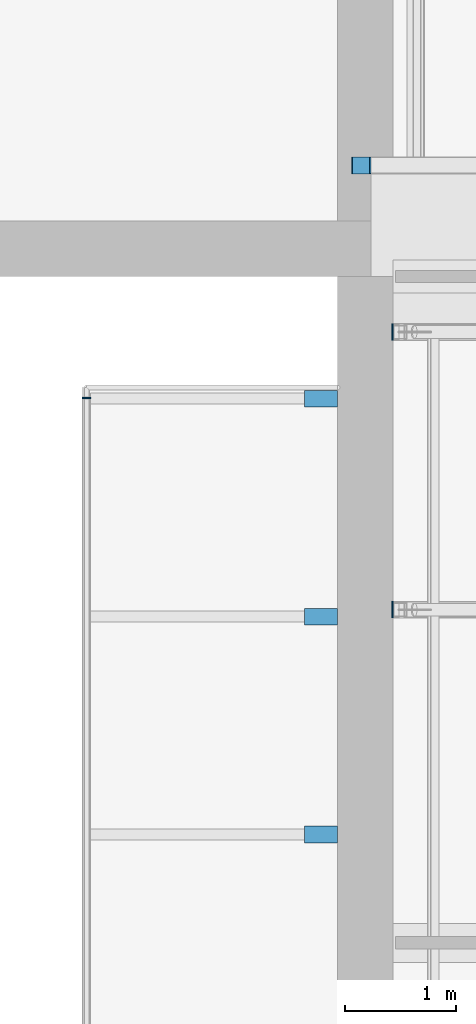
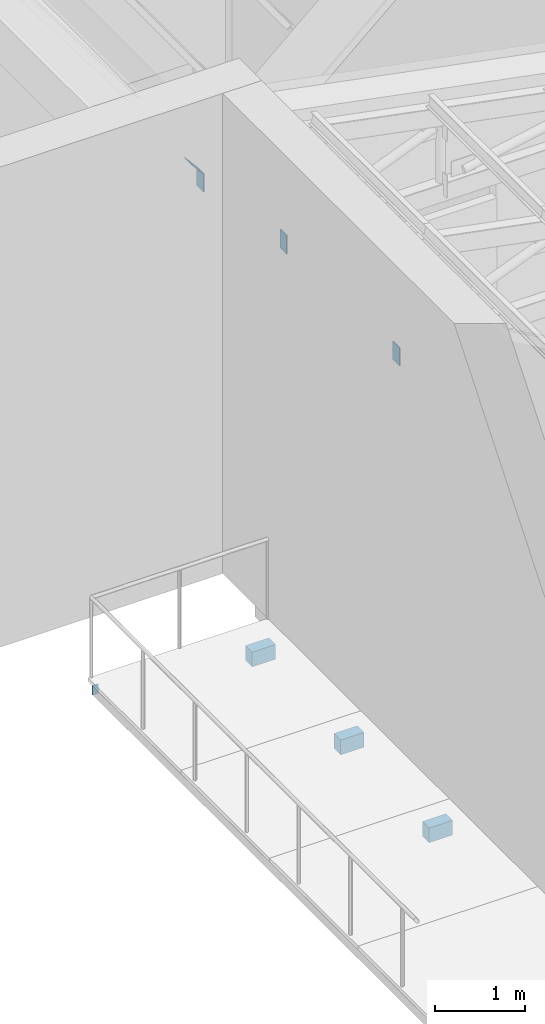
# One storey, part 101 of 118: 8 discrete accessories.
"""IFC4 building model written with IfcOpenShell, lengths in metres."""

from ifc_helpers import new_model, si_unit, direction, frame, origin, origin_2d, place, context, subcontext, project, spatial, rectangle, extrude, material, material_profile, profile_set, type_object, element, save


model = new_model("IFC4")

# Units and contexts
model_context = context("Model", 3, precision=1e-05, world=origin(), true_north=direction((0.0, 1.0)))
body_context = subcontext(model_context, "Body", "Model", "MODEL_VIEW")
ifc_project = project(units=[si_unit("LENGTHUNIT", "METRE"), si_unit("AREAUNIT", "SQUARE_METRE"), si_unit("VOLUMEUNIT", "CUBIC_METRE"), si_unit("PLANEANGLEUNIT", "RADIAN"), si_unit("MASSUNIT", "GRAM", prefix="KILO")], contexts=[model_context])

# Site, building, storey
site_placement = place(None, origin())
site = spatial("IfcSite", under=ifc_project, at=site_placement, CompositionType="ELEMENT")
building_placement = place(site_placement, origin())
building = spatial("IfcBuilding", under=site, at=building_placement, Name="Saffron Lane Theatres", CompositionType="ELEMENT")
storey_placement = place(building_placement, frame((0.0, 0.0, 16.5)))
storey = spatial("IfcBuildingStorey", under=building, at=storey_placement, Name="L03", CompositionType="ELEMENT", Elevation=16.5)

# Discrete accessories
ifc_material_1 = material(Name="Steel Grade 350", Category="steel")
ifc_material_profile_1 = material_profile(ifc_material_1, rectangle(XDim=0.074951171875, YDim=0.125, at=origin_2d()))
ifc_profile_set_1 = profile_set([ifc_material_profile_1], Name="Steel Grade 350")
discrete_accessory_type_1 = type_object("IfcDiscreteAccessoryType", Name="ST-STEEL END CAP 125x75x5 RHS", PredefinedType="ANCHORPLATE", material=ifc_profile_set_1)
discrete_accessory_placement = place(storey_placement, frame((45.237548828125, 52.89990234375, -0.112548828125), z_axis=(0.0, 1.0, 0.0), x_axis=(-1.0, 0.0, 0.0)))
element("IfcDiscreteAccessory", 1, at=discrete_accessory_placement, inside=storey, type_object=discrete_accessory_type_1, Name="EC602", PredefinedType="ANCHORPLATE", context=body_context, shape_type="SweptSolid", body=[
    extrude(rectangle(XDim=0.074951171875, YDim=0.125, at=origin_2d()), origin(), (0.0, 0.0, 1.0), 0.01220703125),
])
ifc_material_2 = material(Name="Steel Grade 350", Category="steel")
ifc_material_profile_2 = material_profile(ifc_material_2, rectangle(XDim=0.14990234375, YDim=0.25, at=origin_2d()))
ifc_profile_set_2 = profile_set([ifc_material_profile_2], Name="Steel Grade 350")
discrete_accessory_type_2 = type_object("IfcDiscreteAccessoryType", Name="ST-STEEL END CAP 250x150x9 RHS", PredefinedType="ANCHORPLATE", material=ifc_profile_set_2)
for number, where, z_axis, x_axis, name in (
    (2, (47.800048828125, 55.0, 4.625), (-1.0, 0.0, 0.0), (0.0, -1.0, 0.0), "EC391"),
    (3, (47.7080078125, 55.0, 4.835693359375), (0.756363172452, 0.0, 0.654151932932), (0.0, 1.0, 0.0), "EC394"),
    (4, (48.0, 51.0, 4.625), (-1.0, 0.0, 0.0), (0.0, -1.0, 0.0), "EC562"),
    (5, (48.0, 53.5, 4.625), (-1.0, 0.0, 0.0), (0.0, -1.0, 0.0), "EC573"),
):
    element("IfcDiscreteAccessory", number, at=place(storey_placement, frame(where, z_axis=z_axis, x_axis=x_axis)), inside=storey, type_object=discrete_accessory_type_2, Name=name, PredefinedType="ANCHORPLATE", context=body_context, shape_type="SweptSolid", body=[
        extrude(rectangle(XDim=0.14990234375, YDim=0.25, at=origin_2d()), origin(), (0.0, 0.0, 1.0), 0.011962890625),
    ])
for number, where, z_axis, x_axis, name in (
    (6, (47.35009765625, 48.97509765625, -0.44775390625), (0.0, 0.0, 1.0), (1.0, 0.0, 0.0), "FKE16.5-8"),
    (7, (47.35009765625, 50.9375, -0.44775390625), (0.0, 0.0, 1.0), (1.0, 0.0, 0.0), "FKE16.5-9"),
    (8, (47.35009765625, 52.89990234375, -0.44775390625), (0.0, 0.0, 1.0), (1.0, 0.0, 0.0), "FKE16.5-10"),
):
    element("IfcDiscreteAccessory", number, at=place(storey_placement, frame(where, z_axis=z_axis, x_axis=x_axis)), inside=storey, Name=name, PredefinedType="BRACKET", context=body_context, shape_type="SweptSolid", body=[
        extrude(rectangle(XDim=0.300048828125, YDim=0.14990234375, at=origin_2d()), origin(), (0.0, 0.0, 1.0), 0.199951171875),
    ])

save(model, "model.ifc")
